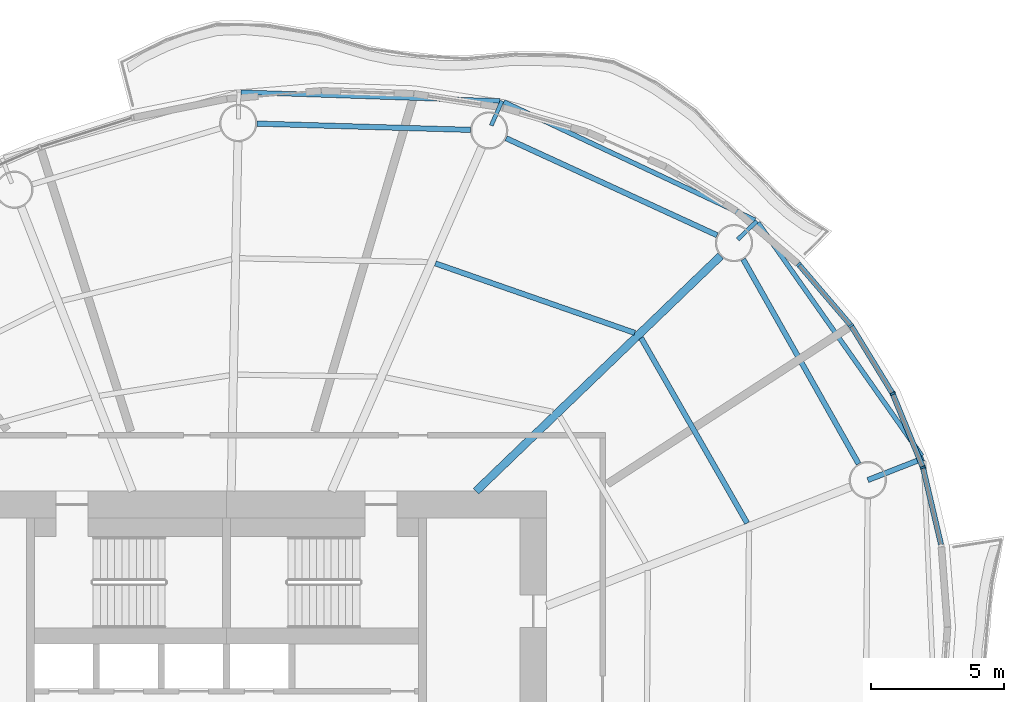
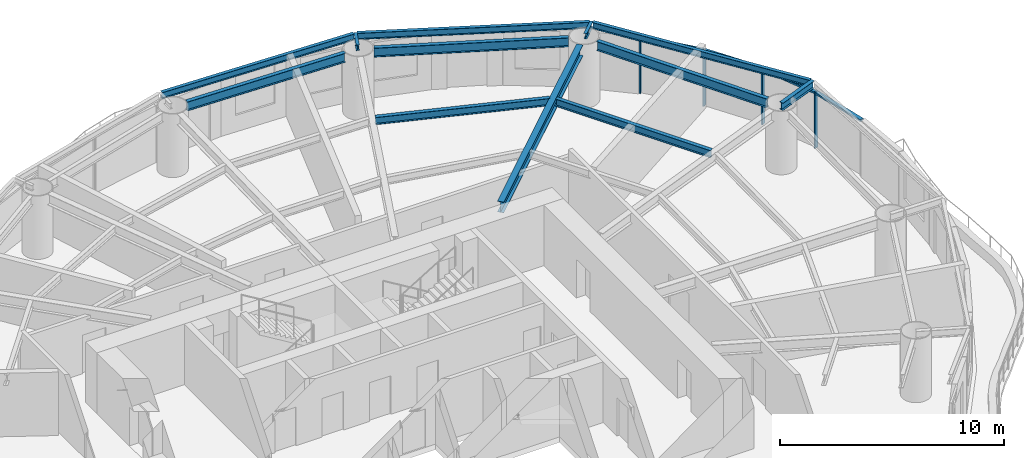
# One storey, part 6 of 14: 12 beams, 8 members, 4 elements without a shape of their own.
"""IFC4 building model written with IfcOpenShell, lengths in metres."""

from ifc_helpers import new_model, si_unit, direction, frame, origin, origin_2d, place, context, subcontext, project, spatial, rectangle, i_section, extrude, material, material_profile, profile_set, type_object, element, aggregate, save


model = new_model("IFC4")

# Units and contexts
model_context = context("Model", 3, precision=1e-05, world=origin(), true_north=direction((0.0, 1.0)))
body_context = subcontext(model_context, "Body", "Model", "MODEL_VIEW")
ifc_project = project(units=[si_unit("LENGTHUNIT", "METRE"), si_unit("AREAUNIT", "SQUARE_METRE"), si_unit("VOLUMEUNIT", "CUBIC_METRE"), si_unit("PLANEANGLEUNIT", "RADIAN"), si_unit("MASSUNIT", "GRAM", prefix="KILO")], contexts=[model_context])

# Site, building, storey
site_placement = place(None, origin())
site = spatial("IfcSite", under=ifc_project, at=site_placement, CompositionType="ELEMENT")
building_placement = place(site_placement, origin())
building = spatial("IfcBuilding", under=site, at=building_placement, Name="Vermilion Reach Broadcast Tower", CompositionType="ELEMENT")
storey_placement = place(building_placement, frame((0.0, 0.0, 143.39990234375)))
storey = spatial("IfcBuildingStorey", under=building, at=storey_placement, Name="L33", CompositionType="ELEMENT", Elevation=143.39990234375)

# Beams
ifc_material_1 = material(Name="Steel S355J2", Category="steel")
ifc_material_profile_1 = material_profile(ifc_material_1, i_section(OverallWidth=0.175048828125, OverallDepth=0.35009765625, WebThickness=0.007080078125, FlangeThickness=0.010986328125, at=origin_2d()), Name="S355J2 HN 350x175x7x11")
ifc_profile_set_1 = profile_set([ifc_material_profile_1], Name="Steel S355J2")
beam_type_1 = type_object("IfcBeamType", Name="EB3 HN 350x175x7x11", PredefinedType="BEAM", material=ifc_profile_set_1)
beam_1_placement = place(storey_placement, frame((13.80908203125, 19.16015625, 3.275146484375), z_axis=(-0.904708610633, 0.426030902455, 0.0), x_axis=(-0.426030902455, -0.904708610633, 0.0)))
element("IfcBeam", 1, at=beam_1_placement, inside=storey, type_object=beam_type_1, Name="Edge beam EB3-01", PredefinedType="BEAM", context=body_context, shape_type="SweptSolid", body=[
    extrude(i_section(OverallWidth=0.175048828125, OverallDepth=0.35009765625, WebThickness=0.007080078125, FlangeThickness=0.010986328125, at=origin_2d()), origin(), (0.0, 0.0, 1.0), 10.40625),
])
beam_2_placement = place(storey_placement, frame((4.24609375, 23.628173828125, 3.275146484375), z_axis=(-0.99942574516, 0.033884803553, 0.0), x_axis=(-0.033884803553, -0.99942574516, 0.0)))
element("IfcBeam", 2, at=beam_2_placement, inside=storey, type_object=beam_type_1, Name="Edge beam EB3-02", PredefinedType="BEAM", context=body_context, shape_type="SweptSolid", body=[
    extrude(i_section(OverallWidth=0.175048828125, OverallDepth=0.35009765625, WebThickness=0.007080078125, FlangeThickness=0.010986328125, at=origin_2d()), origin(), (0.0, 0.0, 1.0), 9.71240234375),
])
beam_3_placement = place(storey_placement, frame((20.069580078125, 10.31884765625, 3.275146484375), z_axis=(-0.574897985986, 0.818225094769, 0.0), x_axis=(-0.818225094769, -0.574897985986, 0.0)))
element("IfcBeam", 3, at=beam_3_placement, inside=storey, type_object=beam_type_1, Name="Edge beam EB3-16", PredefinedType="BEAM", context=body_context, shape_type="SweptSolid", body=[
    extrude(i_section(OverallWidth=0.175048828125, OverallDepth=0.35009765625, WebThickness=0.007080078125, FlangeThickness=0.010986328125, at=origin_2d()), origin(), (0.0, 0.0, 1.0), 10.6875),
])
ifc_material_2 = material(Name="Steel S355J2", Category="steel")
ifc_material_profile_2 = material_profile(ifc_material_2, i_section(OverallWidth=0.300048828125, OverallDepth=0.587890625, WebThickness=0.011962890625, FlangeThickness=0.02001953125, at=origin_2d()), Name="S355J2 HM 588x300x12x20")
ifc_profile_set_2 = profile_set([ifc_material_profile_2], Name="Steel S355J2")
beam_type_2 = type_object("IfcBeamType", Name="G3 HM 588x300x12x20", PredefinedType="BEAM", material=ifc_profile_set_2)
beam_4_placement = place(storey_placement, frame((3.355712890625, 9.0, 3.156005859375), z_axis=(0.720670374476, 0.693277874559, 0.0), x_axis=(-0.693277874559, 0.720670374476, 0.0)))
element("IfcBeam", 4, at=beam_4_placement, inside=storey, type_object=beam_type_2, Name="Girder G3-01", PredefinedType="BEAM", context=body_context, shape_type="SweptSolid", body=[
    extrude(i_section(OverallWidth=0.300048828125, OverallDepth=0.587890625, WebThickness=0.011962890625, FlangeThickness=0.02001953125, at=origin_2d()), origin(), (0.0, 0.0, 1.0), 12.718505859375),
])
ifc_material_3 = material(Name="Steel S355J2", Category="steel")
ifc_material_profile_3 = material_profile(ifc_material_3, i_section(OverallWidth=0.199951171875, OverallDepth=0.39990234375, WebThickness=0.008056640625, FlangeThickness=0.012939453125, at=origin_2d()), Name="S355J2 HN 400x200x8x13")
ifc_profile_set_3 = profile_set([ifc_material_profile_3], Name="Steel S355J2")
beam_type_3 = type_object("IfcBeamType", Name="GC3 HN 400x200x8x13", PredefinedType="BEAM", material=ifc_profile_set_3)
beam_5_placement = place(storey_placement, frame((18.04052734375, 9.41650390625, 3.25), z_axis=(0.931102990664, 0.364756385517, 0.0), x_axis=(-0.364756385517, 0.931102990664, 0.0)))
element("IfcBeam", 5, at=beam_5_placement, inside=storey, type_object=beam_type_3, Name="Cantilever girder GC3-16", PredefinedType="BEAM", context=body_context, shape_type="SweptSolid", body=[
    extrude(i_section(OverallWidth=0.199951171875, OverallDepth=0.39990234375, WebThickness=0.008056640625, FlangeThickness=0.012939453125, at=origin_2d()), origin(), (0.0, 0.0, 1.0), 2.242919921875),
])
ifc_material_4 = material(Name="Steel S355J2", Category="steel")
ifc_material_profile_4 = material_profile(ifc_material_4, i_section(OverallWidth=0.14990234375, OverallDepth=0.300048828125, WebThickness=0.006591796875, FlangeThickness=0.009033203125, at=origin_2d()), Name="S355J2 HN 300x150x6.5x9")
ifc_profile_set_4 = profile_set([ifc_material_profile_4], Name="Steel S355J2")
beam_type_4 = type_object("IfcBeamType", Name="GS3 HN 300x150x6.5x9", PredefinedType="BEAM", material=ifc_profile_set_4)
for number, where, z_axis, x_axis, name in (
    (6, (13.1611328125, 18.4326171875, 3.300048828125), (0.720528024691, 0.693425818408, 0.0), (-0.693425818408, 0.720528024691, 0.0), "Cantilever stub GS3-01"),
    (7, (3.926025390625, 22.709228515625, 3.300048828125), (0.400626718411, 0.916241361485, 0.0), (-0.916241361485, 0.400626718411, 0.0), "Cantilever stub GS3-02"),
):
    element("IfcBeam", number, at=place(storey_placement, frame(where, z_axis=z_axis, x_axis=x_axis)), inside=storey, type_object=beam_type_4, Name=name, PredefinedType="BEAM", context=body_context, shape_type="SweptSolid", body=[
        extrude(i_section(OverallWidth=0.14990234375, OverallDepth=0.300048828125, WebThickness=0.006591796875, FlangeThickness=0.009033203125, at=origin_2d()), origin(), (0.0, 0.0, 1.0), 1.0),
    ])
ifc_material_5 = material(Name="Steel S355J2", Category="steel")
ifc_material_profile_5 = material_profile(ifc_material_5, i_section(OverallWidth=0.199951171875, OverallDepth=0.5, WebThickness=0.010009765625, FlangeThickness=0.01611328125, at=origin_2d()), Name="S355J2 HN 500x200x10x16")
ifc_profile_set_5 = profile_set([ifc_material_profile_5], Name="Steel S355J2")
beam_type_5 = type_object("IfcBeamType", Name="RB3 HN 500x200x10x16", PredefinedType="BEAM", material=ifc_profile_set_5)
beam_6_placement = place(storey_placement, frame((12.389892578125, 18.594970703125, 3.2001953125), z_axis=(-0.908546241769, 0.417784306272, 0.0), x_axis=(-0.417784306272, -0.908546241769, 0.0)))
element("IfcBeam", 8, at=beam_6_placement, inside=storey, type_object=beam_type_5, Name="Ring beam RB3-01", PredefinedType="BEAM", context=body_context, shape_type="SweptSolid", body=[
    extrude(i_section(OverallWidth=0.199951171875, OverallDepth=0.5, WebThickness=0.010009765625, FlangeThickness=0.01611328125, at=origin_2d()), origin(), (0.0, 0.0, 1.0), 8.704833984375),
])
beam_7_placement = place(storey_placement, frame((3.1455078125, 22.544677734375, 3.2001953125), z_axis=(-0.999569781146, 0.029330063427, 0.0), x_axis=(-0.029330063427, -0.999569781146, 0.0)))
element("IfcBeam", 9, at=beam_7_placement, inside=storey, type_object=beam_type_5, Name="Ring beam RB3-02", PredefinedType="BEAM", context=body_context, shape_type="SweptSolid", body=[
    extrude(i_section(OverallWidth=0.199951171875, OverallDepth=0.5, WebThickness=0.010009765625, FlangeThickness=0.01611328125, at=origin_2d()), origin(), (0.0, 0.0, 1.0), 8.007568359375),
])
beam_8_placement = place(storey_placement, frame((17.696533203125, 10.026123046875, 3.2001953125), z_axis=(-0.491466825026, 0.870896296869, 0.0), x_axis=(-0.870896296869, -0.491466825026, 0.0)))
element("IfcBeam", 10, at=beam_8_placement, inside=storey, type_object=beam_type_5, Name="Ring beam RB3-16", PredefinedType="BEAM", context=body_context, shape_type="SweptSolid", body=[
    extrude(i_section(OverallWidth=0.199951171875, OverallDepth=0.5, WebThickness=0.010009765625, FlangeThickness=0.01611328125, at=origin_2d()), origin(), (0.0, 0.0, 1.0), 8.803466796875),
])
ifc_material_6 = material(Name="Steel S355J2", Category="steel")
ifc_material_profile_6 = material_profile(ifc_material_6, i_section(OverallWidth=0.199951171875, OverallDepth=0.39990234375, WebThickness=0.008056640625, FlangeThickness=0.012939453125, at=origin_2d()), Name="S355J2 HN 400x200x8x13")
ifc_profile_set_6 = profile_set([ifc_material_profile_6], Name="Steel S355J2")
beam_type_6 = type_object("IfcBeamType", Name="SB3 HN 400x200x8x13", PredefinedType="BEAM", material=ifc_profile_set_6)
beam_9_placement = place(storey_placement, frame((9.307373046875, 14.93359375, 3.25), z_axis=(-0.94431696779, 0.329037177754, 0.0), x_axis=(-0.329037177754, -0.94431696779, 0.0)))
element("IfcBeam", 11, at=beam_9_placement, inside=storey, type_object=beam_type_6, Name="Secondary beam SB3-01-2", PredefinedType="BEAM", context=body_context, shape_type="SweptSolid", body=[
    extrude(i_section(OverallWidth=0.199951171875, OverallDepth=0.39990234375, WebThickness=0.008056640625, FlangeThickness=0.012939453125, at=origin_2d()), origin(), (0.0, 0.0, 1.0), 7.91845703125),
])
beam_10_placement = place(storey_placement, frame((13.51708984375, 7.805908203125, 3.25), z_axis=(-0.497026503115, 0.867735360119, 0.0), x_axis=(-0.867735360119, -0.497026503115, 0.0)))
element("IfcBeam", 12, at=beam_10_placement, inside=storey, type_object=beam_type_6, Name="Secondary beam SB3-16-2", PredefinedType="BEAM", context=body_context, shape_type="SweptSolid", body=[
    extrude(i_section(OverallWidth=0.199951171875, OverallDepth=0.39990234375, WebThickness=0.008056640625, FlangeThickness=0.012939453125, at=origin_2d()), origin(), (0.0, 0.0, 1.0), 7.995849609375),
])

# Curtain wall, member
ifc_material_7 = material(Name="Low-e laminated clear glass in aluminium frame", Category="aluminium")
curtain_wall_type = type_object("IfcCurtainWallType", Name="Slot curtain wall", PredefinedType="NOTDEFINED", material=ifc_material_7)
placement = place(storey_placement, origin())
curtain_wall_1 = element("IfcCurtainWall", 13, at=placement, inside=storey, type_object=curtain_wall_type, Name="Slot curtain wall L33 47", PredefinedType="NOTDEFINED")
ifc_material_8 = material(Name="Anodised aluminium", Category="aluminium")
ifc_material_profile_7 = material_profile(ifc_material_8, rectangle(XDim=0.199951171875, YDim=0.080078125, at=origin_2d()), Name="Slot mullion 80 x 200")
ifc_profile_set_7 = profile_set([ifc_material_profile_7], Name="Anodised aluminium")
member_type_1 = type_object("IfcMemberType", Name="Slot mullion 80 x 200", PredefinedType="MULLION", material=ifc_profile_set_7)
member_1_placement = place(storey_placement, frame((20.105224609375, 9.892822265625, 0.0), z_axis=(0.0, 0.0, 1.0), x_axis=(-0.952283391858, -0.305215238138, 0.0)))
member_1 = element("IfcMember", 14, at=member_1_placement, type_object=member_type_1, Name="Slot mullion L33 47", PredefinedType="MULLION", context=body_context, shape_type="SweptSolid", body=[
    extrude(rectangle(XDim=0.199951171875, YDim=0.080078125, at=origin_2d()), origin(), (0.0, 0.0, 1.0), 3.050048828125),
])

curtain_wall_2 = element("IfcCurtainWall", 15, at=placement, inside=storey, type_object=curtain_wall_type, Name="Slot curtain wall L33 00", PredefinedType="NOTDEFINED")
member_2_placement = place(storey_placement, frame((18.970947265625, 12.657470703125, 0.0), z_axis=(0.0, 0.0, 1.0), x_axis=(-0.891955398575, -0.452123397927, 0.0)))
member_2 = element("IfcMember", 16, at=member_2_placement, type_object=member_type_1, Name="Slot mullion L33 00", PredefinedType="MULLION", context=body_context, shape_type="SweptSolid", body=[
    extrude(rectangle(XDim=0.199951171875, YDim=0.080078125, at=origin_2d()), origin(), (0.0, 0.0, 1.0), 3.050048828125),
])

# Curtain wall, members
curtain_wall_3 = element("IfcCurtainWall", 17, at=placement, inside=storey, type_object=curtain_wall_type, Name="Slot curtain wall L33 01", PredefinedType="NOTDEFINED")
member_3_placement = place(storey_placement, frame((17.41162109375, 15.206787109375, 0.0), z_axis=(0.0, 0.0, 1.0), x_axis=(-0.80913103566, -0.587628255899, 0.0)))
member_3 = element("IfcMember", 18, at=member_3_placement, type_object=member_type_1, Name="Slot mullion L33 01", PredefinedType="MULLION", context=body_context, shape_type="SweptSolid", body=[
    extrude(rectangle(XDim=0.199951171875, YDim=0.080078125, at=origin_2d()), origin(), (0.0, 0.0, 1.0), 3.050048828125),
])
member_4_placement = place(storey_placement, frame((15.453125, 17.498046875, 0.0), z_axis=(0.0, 0.0, 1.0), x_axis=(-0.707681263453, -0.706531831808, 0.0)))
member_4 = element("IfcMember", 19, at=member_4_placement, type_object=member_type_1, Name="Slot mullion L33 02", PredefinedType="MULLION", context=body_context, shape_type="SweptSolid", body=[
    extrude(rectangle(XDim=0.199951171875, YDim=0.080078125, at=origin_2d()), origin(), (0.0, 0.0, 1.0), 3.050048828125),
])

# Curtain wall, member
curtain_wall_4 = element("IfcCurtainWall", 20, at=placement, inside=storey, type_object=curtain_wall_type, Name="Slot curtain wall L33 46", PredefinedType="NOTDEFINED")
ifc_material_9 = material(Name="Anodised aluminium", Category="aluminium")
ifc_material_profile_8 = material_profile(ifc_material_9, rectangle(XDim=0.199951171875, YDim=0.10009765625, at=origin_2d()), Name="Slot transom 200 x 100")
ifc_profile_set_8 = profile_set([ifc_material_profile_8], Name="Anodised aluminium")
member_type_2 = type_object("IfcMemberType", Name="Slot transom 200 x 100", PredefinedType="USERDEFINED", material=ifc_profile_set_8)
member_5_placement = place(storey_placement, frame((20.786376953125, 6.99755859375, 3.0), z_axis=(-0.228983680627, 0.973430261501, 0.0), x_axis=(-0.973430261501, -0.228983680627, 0.0)))
member_5 = element("IfcMember", 21, at=member_5_placement, type_object=member_type_2, Name="Slot transom L33 46.1", ObjectType="TRANSOM", PredefinedType="USERDEFINED", context=body_context, shape_type="SweptSolid", body=[
    extrude(rectangle(XDim=0.199951171875, YDim=0.10009765625, at=origin_2d()), origin(), (0.0, 0.0, 1.0), 2.93408203125),
])
aggregate(curtain_wall_4, [member_5])

# Member
member_6_placement = place(storey_placement, frame((20.090087890625, 9.9296875, 3.0), z_axis=(-0.379495561074, 0.925193557654, 0.0), x_axis=(-0.925193557654, -0.379495561074, 0.0)))
member_6 = element("IfcMember", 22, at=member_6_placement, type_object=member_type_2, Name="Slot transom L33 47.1", ObjectType="TRANSOM", PredefinedType="USERDEFINED", context=body_context, shape_type="SweptSolid", body=[
    extrude(rectangle(XDim=0.199951171875, YDim=0.10009765625, at=origin_2d()), origin(), (0.0, 0.0, 1.0), 2.908447265625),
])

aggregate(curtain_wall_1, [member_1, member_6])

member_7_placement = place(storey_placement, frame((18.9501953125, 12.691650390625, 3.0), z_axis=(-0.521772529072, 0.853084654595, 0.0), x_axis=(-0.853084654595, -0.521772529072, 0.0)))
member_7 = element("IfcMember", 23, at=member_7_placement, type_object=member_type_2, Name="Slot transom L33 00.1", ObjectType="TRANSOM", PredefinedType="USERDEFINED", context=body_context, shape_type="SweptSolid", body=[
    extrude(rectangle(XDim=0.199951171875, YDim=0.10009765625, at=origin_2d()), origin(), (0.0, 0.0, 1.0), 2.908447265625),
])

aggregate(curtain_wall_2, [member_2, member_7])

member_8_placement = place(storey_placement, frame((17.3857421875, 15.2373046875, 3.0), z_axis=(-0.649783475517, 0.760119355723, 0.0), x_axis=(-0.760119355723, -0.649783475517, 0.0)))
member_8 = element("IfcMember", 24, at=member_8_placement, type_object=member_type_2, Name="Slot transom L33 01.1", ObjectType="TRANSOM", PredefinedType="USERDEFINED", context=body_context, shape_type="SweptSolid", body=[
    extrude(rectangle(XDim=0.199951171875, YDim=0.10009765625, at=origin_2d()), origin(), (0.0, 0.0, 1.0), 2.93408203125),
])

aggregate(curtain_wall_3, [member_3, member_4, member_8])

save(model, "model.ifc")
